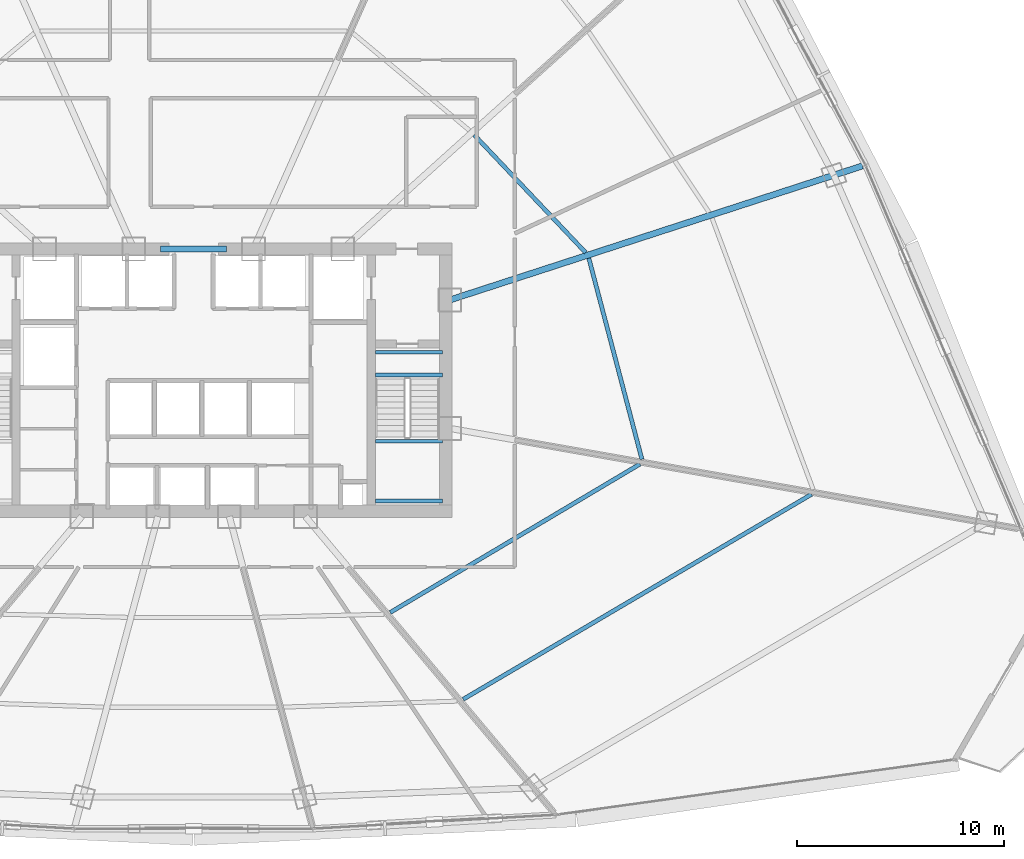
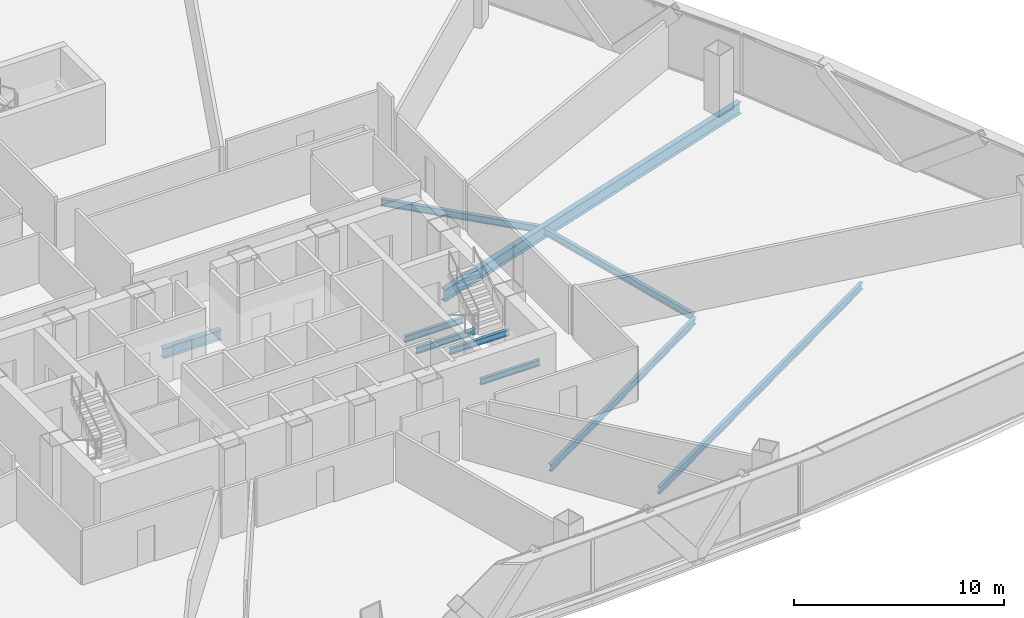
# One storey, part 13 of 36: 10 beams.
"""IFC4 building model written with IfcOpenShell, lengths in metres."""

from ifc_helpers import new_model, si_unit, direction, frame, origin, origin_2d, place, context, subcontext, project, spatial, i_section, extrude, source, transform, mapped, material, material_profile, profile_set, type_object, element, save


model = new_model("IFC4")

# Units and contexts
model_context = context("Model", 3, precision=1e-05, world=origin(), true_north=direction((0.0, 1.0)))
body_context = subcontext(model_context, "Body", "Model", "MODEL_VIEW")
ifc_project = project(units=[si_unit("LENGTHUNIT", "METRE"), si_unit("AREAUNIT", "SQUARE_METRE"), si_unit("VOLUMEUNIT", "CUBIC_METRE"), si_unit("PLANEANGLEUNIT", "RADIAN"), si_unit("MASSUNIT", "GRAM", prefix="KILO"), si_unit("THERMODYNAMICTEMPERATUREUNIT", "KELVIN"), si_unit("POWERUNIT", "WATT")], contexts=[model_context])

# Site, building, storey
site_placement = place(None, origin())
site = spatial("IfcSite", under=ifc_project, at=site_placement, CompositionType="ELEMENT")
building_placement = place(site_placement, origin())
building = spatial("IfcBuilding", under=site, at=building_placement, Name="Yunzhuo Pagoda Commons", CompositionType="ELEMENT")
storey_placement = place(building_placement, frame((0.0, 0.0, 103.97998046875)))
storey = spatial("IfcBuildingStorey", under=building, at=storey_placement, Name="L26", CompositionType="ELEMENT", Elevation=103.97998046875)

# Beams
ifc_material_1 = material(Name="Structural steel Q355B", Category="steel")
ifc_material_profile_1 = material_profile(ifc_material_1, i_section(OverallWidth=0.175048828125, OverallDepth=0.35009765625, WebThickness=0.007080078125, FlangeThickness=0.010986328125, at=origin_2d()), Name="Structural steel Q355B")
ifc_profile_set_1 = profile_set([ifc_material_profile_1], Name="Structural steel Q355B")
beam_type_1 = type_object("IfcBeamType", Name="B-JS2 Joist HN 350x175x7x11", PredefinedType="JOIST", material=ifc_profile_set_1)
shared_shape_1 = source(origin(), body_context, "Body", "SweptSolid", [
    extrude(i_section(OverallWidth=0.175048828125, OverallDepth=0.35009765625, WebThickness=0.007080078125, FlangeThickness=0.010986328125, at=origin_2d()), origin(), (0.0, 0.0, 1.0), 3.25),
])
for number, where, z_axis, x_axis, name in (
    (1, (56.800048828125, 28.0, 1.52490234375), (1.0, 0.0, 0.0), (0.0, 1.0, 0.0), "L26 ST2 landing support beam 32A"),
    (2, (56.800048828125, 30.89990234375, 1.52490234375), (1.0, 0.0, 0.0), (0.0, 1.0, 0.0), "L26 ST2 landing support beam 32B"),
    (3, (56.800048828125, 34.10009765625, -0.374755859375), (1.0, 0.0, 0.0), (0.0, 1.0, 0.0), "L26 ST2 landing support beam 130A"),
    (4, (56.800048828125, 35.199951171875, -0.374755859375), (1.0, 0.0, 0.0), (0.0, 1.0, 0.0), "L26 ST2 landing support beam 130B"),
):
    element("IfcBeam", number, at=place(storey_placement, frame(where, z_axis=z_axis, x_axis=x_axis)), inside=storey, type_object=beam_type_1, Name=name, PredefinedType="JOIST", context=body_context, shape_type="MappedRepresentation", body=[
        mapped(shared_shape_1, transform((0.0, 0.0, 0.0), scale=1.0)),
    ])
ifc_material_2 = material(Name="Structural steel Q420B", Category="steel")
ifc_material_profile_2 = material_profile(ifc_material_2, i_section(OverallWidth=0.300048828125, OverallDepth=0.587890625, WebThickness=0.011962890625, FlangeThickness=0.02001953125, at=origin_2d()), Name="Structural steel Q420B")
ifc_profile_set_2 = profile_set([ifc_material_profile_2], Name="Structural steel Q420B")
beam_type_2 = type_object("IfcBeamType", Name="B-CPL Beam HM 588x300x12x20", PredefinedType="BEAM", material=ifc_profile_set_2)
shared_shape_2 = source(origin(), body_context, "Body", "SweptSolid", [
    extrude(i_section(OverallWidth=0.300048828125, OverallDepth=0.587890625, WebThickness=0.011962890625, FlangeThickness=0.02001953125, at=origin_2d()), origin(), (0.0, 0.0, 1.0), 3.2001953125),
])
beam_1_placement = place(storey_placement, frame((46.39990234375, 40.199951171875, -0.553955078125), z_axis=(1.0, 0.0, 0.0), x_axis=(0.0, 1.0, 0.0)))
element("IfcBeam", 5, at=beam_1_placement, inside=storey, type_object=beam_type_2, Name="L26 core coupling girder", PredefinedType="BEAM", context=body_context, shape_type="MappedRepresentation", body=[
    mapped(shared_shape_2, transform((0.0, 0.0, 0.0), scale=1.0)),
])
ifc_material_profile_3 = material_profile(ifc_material_1, i_section(OverallWidth=0.199951171875, OverallDepth=0.39990234375, WebThickness=0.008056640625, FlangeThickness=0.012939453125, at=origin_2d()), Name="Structural steel Q355B")
ifc_profile_set_3 = profile_set([ifc_material_profile_3], Name="Structural steel Q355B")
beam_type_3 = type_object("IfcBeamType", Name="B-JS1 Joist HN 400x200x8x13", PredefinedType="JOIST", material=ifc_profile_set_3)
shared_shape_3 = source(origin(), body_context, "Body", "SweptSolid", [
    extrude(i_section(OverallWidth=0.199951171875, OverallDepth=0.39990234375, WebThickness=0.008056640625, FlangeThickness=0.012939453125, at=origin_2d()), origin(), (0.0, 0.0, 1.0), 14.061767578125),
])
beam_2_placement = place(storey_placement, frame((57.517578125, 22.601806640625, -0.459716796875), z_axis=(0.859683443923, 0.510827149088, 0.0), x_axis=(-0.510827149088, 0.859683443923, 0.0)))
element("IfcBeam", 6, at=beam_2_placement, inside=storey, type_object=beam_type_3, Name="L26 composite ring joist 1.4", PredefinedType="JOIST", context=body_context, shape_type="MappedRepresentation", body=[
    mapped(shared_shape_3, transform((0.0, 0.0, 0.0), scale=1.0)),
])
shared_shape_4 = source(origin(), body_context, "Body", "SweptSolid", [
    extrude(i_section(OverallWidth=0.199951171875, OverallDepth=0.39990234375, WebThickness=0.008056640625, FlangeThickness=0.012939453125, at=origin_2d()), origin(), (0.0, 0.0, 1.0), 19.568603515625),
])
beam_3_placement = place(storey_placement, frame((61.04541015625, 18.39697265625, -0.459716796875), z_axis=(0.861862685393, 0.50714170754, 0.0), x_axis=(-0.50714170754, 0.861862685393, 0.0)))
element("IfcBeam", 7, at=beam_3_placement, inside=storey, type_object=beam_type_3, Name="L26 composite ring joist 2.4", PredefinedType="JOIST", context=body_context, shape_type="MappedRepresentation", body=[
    mapped(shared_shape_4, transform((0.0, 0.0, 0.0), scale=1.0)),
])
shared_shape_5 = source(origin(), body_context, "Body", "SweptSolid", [
    extrude(i_section(OverallWidth=0.199951171875, OverallDepth=0.39990234375, WebThickness=0.008056640625, FlangeThickness=0.012939453125, at=origin_2d()), origin(), (0.0, 0.0, 1.0), 10.0634765625),
])
beam_4_placement = place(storey_placement, frame((69.702392578125, 30.019775390625, -0.459716796875), z_axis=(-0.255289713136, 0.966864603948, 0.0), x_axis=(-0.966864603948, -0.255289713136, 0.0)))
element("IfcBeam", 8, at=beam_4_placement, inside=storey, type_object=beam_type_3, Name="L26 composite ring joist 1.5", PredefinedType="JOIST", context=body_context, shape_type="MappedRepresentation", body=[
    mapped(shared_shape_5, transform((0.0, 0.0, 0.0), scale=1.0)),
])
shared_shape_6 = source(origin(), body_context, "Body", "SweptSolid", [
    extrude(i_section(OverallWidth=0.199951171875, OverallDepth=0.39990234375, WebThickness=0.008056640625, FlangeThickness=0.012939453125, at=origin_2d()), origin(), (0.0, 0.0, 1.0), 7.85009765625),
])
beam_5_placement = place(storey_placement, frame((66.9833984375, 40.01904296875, -0.459716796875), z_axis=(-0.687513423145, 0.726171669095, 0.0), x_axis=(-0.726171669095, -0.687513423145, 0.0)))
element("IfcBeam", 9, at=beam_5_placement, inside=storey, type_object=beam_type_3, Name="L26 composite ring joist 1.6", PredefinedType="JOIST", context=body_context, shape_type="MappedRepresentation", body=[
    mapped(shared_shape_6, transform((0.0, 0.0, 0.0), scale=1.0)),
])
ifc_material_profile_4 = material_profile(ifc_material_1, i_section(OverallWidth=0.300048828125, OverallDepth=0.699951171875, WebThickness=0.012939453125, FlangeThickness=0.02392578125, at=origin_2d()), Name="Structural steel Q355B")
ifc_profile_set_4 = profile_set([ifc_material_profile_4], Name="Structural steel Q355B")
beam_type_4 = type_object("IfcBeamType", Name="B-RG1 Beam HN 700x300x13x24", PredefinedType="BEAM", material=ifc_profile_set_4)
shared_shape_7 = source(origin(), body_context, "Body", "SweptSolid", [
    extrude(i_section(OverallWidth=0.300048828125, OverallDepth=0.699951171875, WebThickness=0.012939453125, FlangeThickness=0.02392578125, at=origin_2d()), origin(), (0.0, 0.0, 1.0), 21.0078125),
])
beam_6_placement = place(storey_placement, frame((80.379638671875, 44.220703125, -0.60986328125), z_axis=(-0.951058064092, -0.309012230705, 0.0), x_axis=(0.309012230705, -0.951058064092, 0.0)))
element("IfcBeam", 10, at=beam_6_placement, inside=storey, type_object=beam_type_4, Name="L26 radial floor girder F2C2", PredefinedType="BEAM", context=body_context, shape_type="MappedRepresentation", body=[
    mapped(shared_shape_7, transform((0.0, 0.0, 0.0), scale=1.0)),
])

save(model, "model.ifc")
